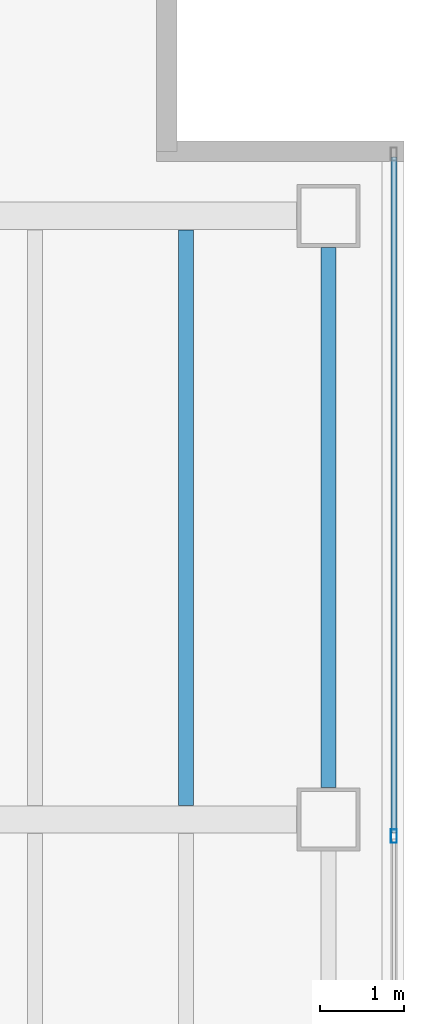
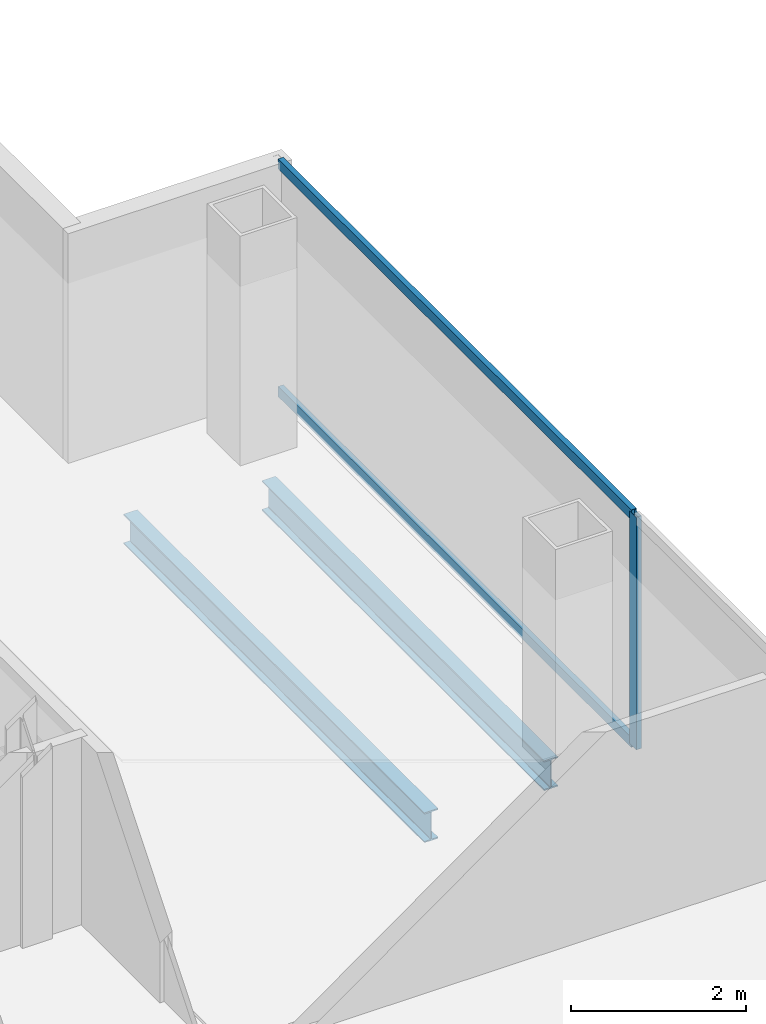
# One storey, part 14 of 23: 3 members, 2 beams, 1 element without a shape of its own.
"""IFC4 building model written with IfcOpenShell, lengths in metres."""

from ifc_helpers import new_model, si_unit, direction, frame, origin, origin_2d, place, context, subcontext, project, spatial, hollow_rectangle, i_section, extrude, material, material_profile, profile_set, type_object, element, aggregate, save


model = new_model("IFC4")

# Units and contexts
model_context = context("Model", 3, precision=1e-05, world=origin(), true_north=direction((0.0, 1.0)))
body_context = subcontext(model_context, "Body", "Model", "MODEL_VIEW")
ifc_project = project(units=[si_unit("LENGTHUNIT", "METRE"), si_unit("AREAUNIT", "SQUARE_METRE"), si_unit("VOLUMEUNIT", "CUBIC_METRE"), si_unit("PLANEANGLEUNIT", "RADIAN"), si_unit("MASSUNIT", "GRAM", prefix="KILO")], contexts=[model_context])

# Site, building, storey
site_placement = place(None, origin())
site = spatial("IfcSite", under=ifc_project, at=site_placement, CompositionType="ELEMENT")
building_placement = place(site_placement, origin())
building = spatial("IfcBuilding", under=site, at=building_placement, Name="Cobrela Telecom Tower", CompositionType="ELEMENT")
storey_placement = place(building_placement, frame((0.0, 0.0, 225.75)))
storey = spatial("IfcBuildingStorey", under=building, at=storey_placement, Name="L58", CompositionType="ELEMENT", Elevation=225.75)

# Beams
ifc_material_1 = material(Name="Steel ASTM A992 Grade 50", Category="steel")
ifc_material_profile_1 = material_profile(ifc_material_1, i_section(OverallWidth=0.179931640625, OverallDepth=0.4169921875, WebThickness=0.010986328125, FlangeThickness=0.01806640625, FilletRadius=0.011962890625, at=origin_2d()), Name="W16X57")
ifc_profile_set_1 = profile_set([ifc_material_profile_1], Name="Steel ASTM A992 Grade 50")
beam_type_1 = type_object("IfcBeamType", Name="BM-JOIST-04", PredefinedType="JOIST", material=ifc_profile_set_1)
beam_1_placement = place(storey_placement, frame((41.39990234375, 14.5673828125, -0.468505859375), z_axis=(0.0, 1.0, 0.0), x_axis=(-1.0, 0.0, 0.0)))
element("IfcBeam", 1, at=beam_1_placement, inside=storey, type_object=beam_type_1, Name="L58 Secondary Composite Floor Beam J30", PredefinedType="JOIST", context=body_context, shape_type="SweptSolid", body=[
    extrude(i_section(OverallWidth=0.179931640625, OverallDepth=0.4169921875, WebThickness=0.010986328125, FlangeThickness=0.01806640625, FilletRadius=0.011962890625, at=origin_2d()), origin(), (0.0, 0.0, 1.0), 6.865234375),
])
ifc_material_profile_2 = material_profile(ifc_material_1, i_section(OverallWidth=0.179931640625, OverallDepth=0.4169921875, WebThickness=0.010986328125, FlangeThickness=0.01806640625, FilletRadius=0.011962890625, at=origin_2d()), Name="W16X57")
ifc_profile_set_2 = profile_set([ifc_material_profile_2], Name="Steel ASTM A992 Grade 50")
beam_type_2 = type_object("IfcBeamType", Name="BM-SPAND-06", PredefinedType="SPANDREL", material=ifc_profile_set_2)
beam_2_placement = place(storey_placement, frame((43.10009765625, 14.780029296875, -0.468505859375), z_axis=(0.0, 1.0, 0.0), x_axis=(-1.0, 0.0, 0.0)))
element("IfcBeam", 2, at=beam_2_placement, inside=storey, type_object=beam_type_2, Name="L58 Perimeter Spandrel Y43", PredefinedType="SPANDREL", context=body_context, shape_type="SweptSolid", body=[
    extrude(i_section(OverallWidth=0.179931640625, OverallDepth=0.4169921875, WebThickness=0.010986328125, FlangeThickness=0.01806640625, FilletRadius=0.011962890625, at=origin_2d()), origin(), (0.0, 0.0, 1.0), 6.43994140625),
])

# Curtain wall, members
ifc_material_2 = material(Name="Anodized Bronze Aluminium 6063-T6", Category="aluminium")
curtain_wall_type = type_object("IfcCurtainWallType", Name="CW-SYS-OFF-LO", PredefinedType="USERDEFINED", material=ifc_material_2)
curtain_wall_placement = place(storey_placement, origin())
curtain_wall = element("IfcCurtainWall", 3, at=curtain_wall_placement, inside=storey, type_object=curtain_wall_type, Name="L58 Unitised Bronze Curtain Wall 14", ObjectType="UNITISED CURTAIN WALL", PredefinedType="USERDEFINED")
ifc_material_profile_3 = material_profile(ifc_material_2, hollow_rectangle(XDim=0.070068359375, YDim=0.159912109375, WallThickness=0.00390625, at=origin_2d()), Name="ALU 70x160x4")
ifc_profile_set_3 = profile_set([ifc_material_profile_3], Name="Anodized Bronze Aluminium 6063-T6")
member_type_1 = type_object("IfcMemberType", Name="CW-SYS-OFF-LO-MUL", PredefinedType="MULLION", material=ifc_profile_set_3)
member_1_placement = place(storey_placement, frame((43.8798828125, 14.199951171875, 0.0), z_axis=(0.0, 0.0, 1.0), x_axis=(1.0, 0.0, 0.0)))
member_1 = element("IfcMember", 4, at=member_1_placement, type_object=member_type_1, Name="CW-OFF-LO mullion 2", PredefinedType="MULLION", context=body_context, shape_type="SweptSolid", body=[
    extrude(hollow_rectangle(XDim=0.070068359375, YDim=0.159912109375, WallThickness=0.00390625, at=origin_2d()), origin(), (0.0, 0.0, 1.0), 3.239990234375),
])
ifc_material_profile_4 = material_profile(ifc_material_2, hollow_rectangle(XDim=0.070068359375, YDim=0.139892578125, WallThickness=0.00390625, at=origin_2d()), Name="ALU 70x140x4")
ifc_profile_set_4 = profile_set([ifc_material_profile_4], Name="Anodized Bronze Aluminium 6063-T6")
member_type_2 = type_object("IfcMemberType", Name="CW-SYS-OFF-LO-TRN", PredefinedType="USERDEFINED", material=ifc_profile_set_4)
member_2_placement = place(storey_placement, frame((43.8798828125, 22.300048828125, 0.034912109375), z_axis=(0.0, -1.0, 0.0), x_axis=(1.0, 0.0, 0.0)))
member_2 = element("IfcMember", 5, at=member_2_placement, type_object=member_type_2, Name="CW-OFF-LO transom 1.1", ObjectType="TRANSOM", PredefinedType="USERDEFINED", context=body_context, shape_type="SweptSolid", body=[
    extrude(hollow_rectangle(XDim=0.070068359375, YDim=0.139892578125, WallThickness=0.00390625, at=origin_2d()), origin(), (0.0, 0.0, 1.0), 8.06494140625),
])
member_3_placement = place(storey_placement, frame((43.8798828125, 22.300048828125, 3.205078125), z_axis=(0.0, -1.0, 0.0), x_axis=(1.0, 0.0, 0.0)))
member_3 = element("IfcMember", 6, at=member_3_placement, type_object=member_type_2, Name="CW-OFF-LO transom 1.2", ObjectType="TRANSOM", PredefinedType="USERDEFINED", context=body_context, shape_type="SweptSolid", body=[
    extrude(hollow_rectangle(XDim=0.070068359375, YDim=0.139892578125, WallThickness=0.00390625, at=origin_2d()), origin(), (0.0, 0.0, 1.0), 8.06494140625),
])
aggregate(curtain_wall, [member_1, member_2, member_3])

save(model, "model.ifc")
